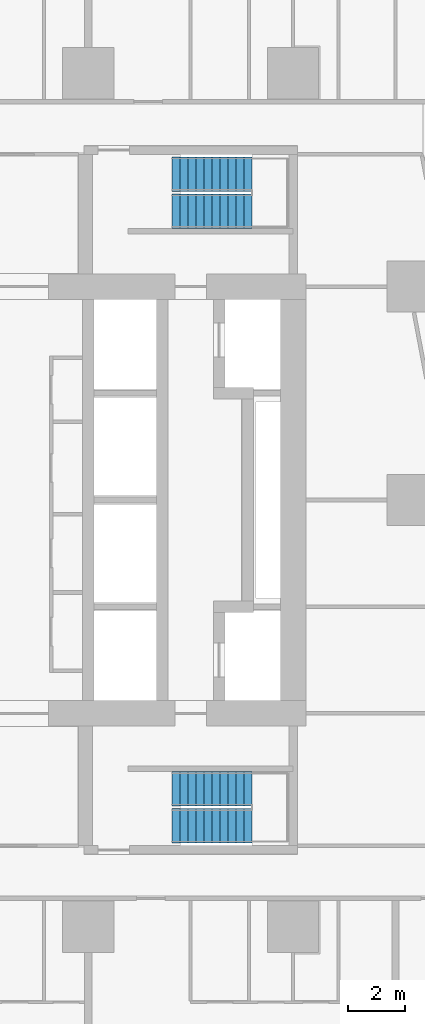
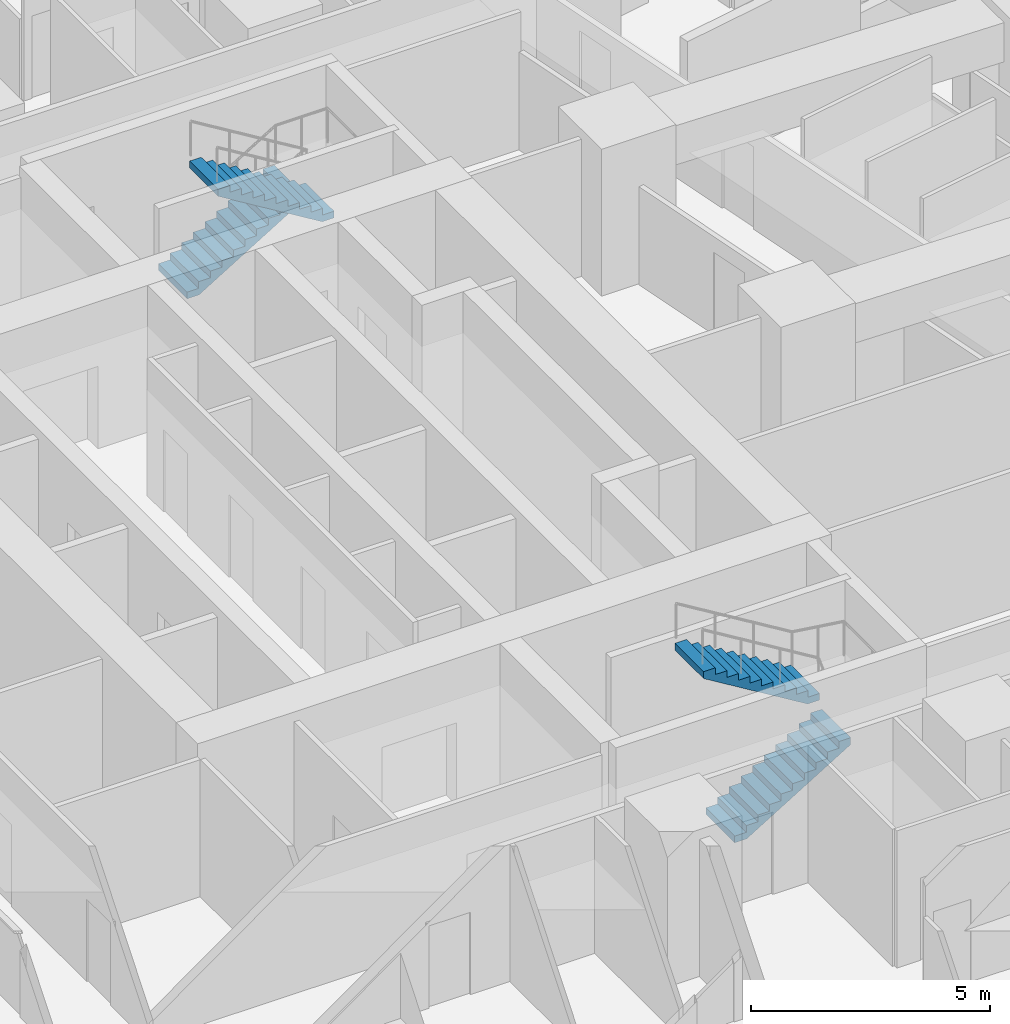
# One storey, part 15 of 17: 4 stair flights, 2 elements without a shape of their own.
"""IFC4 building model written with IfcOpenShell, lengths in metres."""

from ifc_helpers import new_model, si_unit, direction, frame, origin, place, context, subcontext, project, spatial, triangles, material, type_object, element, aggregate, save


model = new_model("IFC4")

# Units and contexts
model_context = context("Model", 3, precision=1e-05, world=origin(), true_north=direction((0.0, 1.0)))
body_context = subcontext(model_context, "Body", "Model", "MODEL_VIEW")
ifc_project = project(units=[si_unit("LENGTHUNIT", "METRE"), si_unit("AREAUNIT", "SQUARE_METRE"), si_unit("VOLUMEUNIT", "CUBIC_METRE"), si_unit("PLANEANGLEUNIT", "RADIAN"), si_unit("MASSUNIT", "GRAM", prefix="KILO")], contexts=[model_context])

# Site, building, storey
site_placement = place(None, origin())
site = spatial("IfcSite", under=ifc_project, at=site_placement, CompositionType="ELEMENT")
building_placement = place(site_placement, origin())
building = spatial("IfcBuilding", under=site, at=building_placement, Name="Sheger Commons Tower", CompositionType="ELEMENT")
storey_placement = place(building_placement, frame((0.0, 0.0, 27.5)))
storey = spatial("IfcBuildingStorey", under=building, at=storey_placement, Name="L06", CompositionType="ELEMENT", Elevation=27.5)

# Stair, stair flights
ifc_material_1 = material(Name="Concrete C35/45", Category="concrete")
stair_type = type_object("IfcStairType", Name="HALF-TURN STAIR 1200 RISE 3750", PredefinedType="HALF_TURN_STAIR", material=ifc_material_1)
stair_1_placement = place(storey_placement, origin())
stair_1 = element("IfcStair", 1, at=stair_1_placement, inside=storey, type_object=stair_type, Name="Stair S1 L06", PredefinedType="HALF_TURN_STAIR")
ifc_material_2 = material(Name="Concrete C35/45", Category="concrete")
stair_flight_type = type_object("IfcStairFlightType", Name="STAIR FLIGHT 1200 11 RISERS OF 170", PredefinedType="STRAIGHT", material=ifc_material_2)
stair_flight_1_placement = place(storey_placement, frame((24.550048828125, 11.050048828125, 0.0), z_axis=(0.0, 0.0, 1.0), x_axis=(1.0, 0.0, 0.0)))
stair_flight_1 = element("IfcStairFlight", 2, at=stair_flight_1_placement, type_object=stair_flight_type, Name="S1 flight 1", NumberOfRisers=11, NumberOfTreads=10, PredefinedType="STRAIGHT", RiserHeight=0.170454545, TreadLength=0.28, context=body_context, shape_type="Tessellation", body=[
    triangles([(0.0, 0.5999755859375, 0.0), (0.0, 0.5999755859375, 0.17041015625), (0.280029296875, 0.5999755859375, 0.17041015625), (0.280029296875, 0.5999755859375, 0.3408203125), (0.56005859375, 0.5999755859375, 0.3408203125), (0.56005859375, 0.5999755859375, 0.511474609375), (0.840087890625, 0.5999755859375, 0.511474609375), (0.840087890625, 0.5999755859375, 0.681884765625), (1.1201171875, 0.5999755859375, 0.681884765625), (1.1201171875, 0.5999755859375, 0.852294921875), (1.39990234375, 0.5999755859375, 0.852294921875), (1.39990234375, 0.5999755859375, 1.022705078125), (1.679931640625, 0.5999755859375, 1.022705078125), (1.679931640625, 0.5999755859375, 1.193115234375), (1.9599609375, 0.5999755859375, 1.193115234375), (1.9599609375, 0.5999755859375, 1.363525390625), (2.239990234375, 0.5999755859375, 1.363525390625), (2.239990234375, 0.5999755859375, 1.5341796875), (2.52001953125, 0.5999755859375, 1.5341796875), (2.52001953125, 0.5999755859375, 1.70458984375), (2.800048828125, 0.5999755859375, 1.70458984375), (2.800048828125, 0.5999755859375, 1.529052734375), (0.288330078125, 0.5999755859375, 0.0), (0.0, -0.5999755859375, 0.0), (0.0, -0.5999755859375, 0.17041015625), (0.280029296875, -0.5999755859375, 0.17041015625), (0.280029296875, -0.5999755859375, 0.3408203125), (0.56005859375, -0.5999755859375, 0.3408203125), (0.56005859375, -0.5999755859375, 0.511474609375), (0.840087890625, -0.5999755859375, 0.511474609375), (0.840087890625, -0.5999755859375, 0.681884765625), (1.1201171875, -0.5999755859375, 0.681884765625), (1.1201171875, -0.5999755859375, 0.852294921875), (1.39990234375, -0.5999755859375, 0.852294921875), (1.39990234375, -0.5999755859375, 1.022705078125), (1.679931640625, -0.5999755859375, 1.022705078125), (1.679931640625, -0.5999755859375, 1.193115234375), (1.9599609375, -0.5999755859375, 1.193115234375), (1.9599609375, -0.5999755859375, 1.363525390625), (2.239990234375, -0.5999755859375, 1.363525390625), (2.239990234375, -0.5999755859375, 1.5341796875), (2.52001953125, -0.5999755859375, 1.5341796875), (2.52001953125, -0.5999755859375, 1.70458984375), (2.800048828125, -0.5999755859375, 1.70458984375), (2.800048828125, -0.5999755859375, 1.529052734375), (0.288330078125, -0.5999755859375, 0.0), (0.0, 0.0, 0.085205078125), (0.1400146484375, 0.0, 0.17041015625), (0.280029296875, 0.0, 0.255615234375), (0.4200439453125, 0.0, 0.3408203125), (0.56005859375, 0.0, 0.4261474609375), (0.7000732421875, 0.0, 0.511474609375), (0.840087890625, 0.0, 0.5966796875), (0.9801025390625, 0.0, 0.681884765625), (1.1201171875, 0.0, 0.76708984375), (1.260009765625, 0.0, 0.852294921875), (1.39990234375, 0.0, 0.9375), (1.5399169921875, 0.0, 1.022705078125), (1.679931640625, 0.0, 1.10791015625), (1.8199462890625, 0.0, 1.193115234375), (1.9599609375, 0.0, 1.2783203125), (2.0999755859375, 0.0, 1.363525390625), (2.239990234375, 0.0, 1.4488525390625), (2.3800048828125, 0.0, 1.5341796875), (2.52001953125, 0.0, 1.619384765625), (2.6600341796875, 0.0, 1.70458984375), (2.800048828125, 0.0, 1.6168212890625), (1.544189453125, 0.0, 0.7645263671875), (0.1441650390625, 0.0, 0.0)], [[1, 22, 23], [24, 46, 45], [22, 20, 21], [45, 44, 43], [22, 19, 20], [45, 43, 42], [22, 18, 19], [45, 42, 41], [22, 17, 18], [45, 41, 40], [17, 15, 16], [40, 39, 38], [22, 15, 17], [45, 40, 38], [15, 13, 14], [38, 37, 36], [22, 13, 15], [45, 38, 36], [13, 11, 12], [36, 35, 34], [22, 11, 13], [45, 36, 34], [11, 9, 10], [34, 33, 32], [22, 9, 11], [45, 34, 32], [9, 7, 8], [32, 31, 30], [22, 7, 9], [45, 32, 30], [7, 5, 6], [30, 29, 28], [22, 5, 7], [45, 30, 28], [5, 3, 4], [28, 27, 26], [22, 3, 5], [45, 28, 26], [1, 3, 22], [24, 45, 26], [3, 1, 2], [26, 25, 24], [1, 47, 2], [2, 47, 25], [25, 47, 24], [24, 47, 1], [2, 48, 3], [3, 48, 26], [26, 48, 25], [25, 48, 2], [3, 49, 4], [4, 49, 27], [27, 49, 26], [26, 49, 3], [4, 50, 5], [5, 50, 28], [28, 50, 27], [27, 50, 4], [5, 51, 6], [6, 51, 29], [29, 51, 28], [28, 51, 5], [6, 52, 7], [7, 52, 30], [30, 52, 29], [29, 52, 6], [7, 53, 8], [8, 53, 31], [31, 53, 30], [30, 53, 7], [8, 54, 9], [9, 54, 32], [32, 54, 31], [31, 54, 8], [9, 55, 10], [10, 55, 33], [33, 55, 32], [32, 55, 9], [10, 56, 11], [11, 56, 34], [34, 56, 33], [33, 56, 10], [11, 57, 12], [12, 57, 35], [35, 57, 34], [34, 57, 11], [12, 58, 13], [13, 58, 36], [36, 58, 35], [35, 58, 12], [13, 59, 14], [14, 59, 37], [37, 59, 36], [36, 59, 13], [14, 60, 15], [15, 60, 38], [38, 60, 37], [37, 60, 14], [15, 61, 16], [16, 61, 39], [39, 61, 38], [38, 61, 15], [16, 62, 17], [17, 62, 40], [40, 62, 39], [39, 62, 16], [17, 63, 18], [18, 63, 41], [41, 63, 40], [40, 63, 17], [18, 64, 19], [19, 64, 42], [42, 64, 41], [41, 64, 18], [19, 65, 20], [20, 65, 43], [43, 65, 42], [42, 65, 19], [20, 66, 21], [21, 66, 44], [44, 66, 43], [43, 66, 20], [21, 67, 22], [22, 67, 45], [45, 67, 44], [44, 67, 21], [22, 68, 23], [23, 68, 46], [46, 68, 45], [45, 68, 22], [23, 69, 1], [1, 69, 24], [24, 69, 46], [46, 69, 23]], closed=True),
])
stair_flight_2_placement = place(storey_placement, frame((27.35009765625, 12.35009765625, 1.875), z_axis=(0.0, 0.0, 1.0), x_axis=(-1.0, 0.0, 0.0)))
stair_flight_2 = element("IfcStairFlight", 3, at=stair_flight_2_placement, type_object=stair_flight_type, Name="S1 flight 2", NumberOfRisers=11, NumberOfTreads=10, PredefinedType="STRAIGHT", RiserHeight=0.170454545, TreadLength=0.28, context=body_context, shape_type="Tessellation", body=[
    triangles([(0.0, 0.5999755859375, 0.0), (0.0, 0.5999755859375, 0.17041015625), (0.280029296875, 0.5999755859375, 0.17041015625), (0.280029296875, 0.5999755859375, 0.3408203125), (0.56005859375, 0.5999755859375, 0.3408203125), (0.56005859375, 0.5999755859375, 0.511474609375), (0.840087890625, 0.5999755859375, 0.511474609375), (0.840087890625, 0.5999755859375, 0.681884765625), (1.1201171875, 0.5999755859375, 0.681884765625), (1.1201171875, 0.5999755859375, 0.852294921875), (1.39990234375, 0.5999755859375, 0.852294921875), (1.39990234375, 0.5999755859375, 1.022705078125), (1.679931640625, 0.5999755859375, 1.022705078125), (1.679931640625, 0.5999755859375, 1.193115234375), (1.9599609375, 0.5999755859375, 1.193115234375), (1.9599609375, 0.5999755859375, 1.363525390625), (2.239990234375, 0.5999755859375, 1.363525390625), (2.239990234375, 0.5999755859375, 1.5341796875), (2.52001953125, 0.5999755859375, 1.5341796875), (2.52001953125, 0.5999755859375, 1.70458984375), (2.800048828125, 0.5999755859375, 1.70458984375), (2.800048828125, 0.5999755859375, 1.529052734375), (0.288330078125, 0.5999755859375, 0.0), (0.0, -0.5999755859375, 0.0), (0.0, -0.5999755859375, 0.17041015625), (0.280029296875, -0.5999755859375, 0.17041015625), (0.280029296875, -0.5999755859375, 0.3408203125), (0.56005859375, -0.5999755859375, 0.3408203125), (0.56005859375, -0.5999755859375, 0.511474609375), (0.840087890625, -0.5999755859375, 0.511474609375), (0.840087890625, -0.5999755859375, 0.681884765625), (1.1201171875, -0.5999755859375, 0.681884765625), (1.1201171875, -0.5999755859375, 0.852294921875), (1.39990234375, -0.5999755859375, 0.852294921875), (1.39990234375, -0.5999755859375, 1.022705078125), (1.679931640625, -0.5999755859375, 1.022705078125), (1.679931640625, -0.5999755859375, 1.193115234375), (1.9599609375, -0.5999755859375, 1.193115234375), (1.9599609375, -0.5999755859375, 1.363525390625), (2.239990234375, -0.5999755859375, 1.363525390625), (2.239990234375, -0.5999755859375, 1.5341796875), (2.52001953125, -0.5999755859375, 1.5341796875), (2.52001953125, -0.5999755859375, 1.70458984375), (2.800048828125, -0.5999755859375, 1.70458984375), (2.800048828125, -0.5999755859375, 1.529052734375), (0.288330078125, -0.5999755859375, 0.0), (0.0, 0.0, 0.085205078125), (0.1400146484375, 0.0, 0.17041015625), (0.280029296875, 0.0, 0.255615234375), (0.4200439453125, 0.0, 0.3408203125), (0.56005859375, 0.0, 0.4261474609375), (0.7000732421875, 0.0, 0.511474609375), (0.840087890625, 0.0, 0.5966796875), (0.9801025390625, 0.0, 0.681884765625), (1.1201171875, 0.0, 0.76708984375), (1.260009765625, 0.0, 0.852294921875), (1.39990234375, 0.0, 0.9375), (1.5399169921875, 0.0, 1.022705078125), (1.679931640625, 0.0, 1.10791015625), (1.8199462890625, 0.0, 1.193115234375), (1.9599609375, 0.0, 1.2783203125), (2.0999755859375, 0.0, 1.363525390625), (2.239990234375, 0.0, 1.4488525390625), (2.3800048828125, 0.0, 1.5341796875), (2.52001953125, 0.0, 1.619384765625), (2.6600341796875, 0.0, 1.70458984375), (2.800048828125, 0.0, 1.6168212890625), (1.544189453125, 0.0, 0.7645263671875), (0.1441650390625, 0.0, 0.0)], [[1, 22, 23], [24, 46, 45], [22, 20, 21], [45, 44, 43], [22, 19, 20], [45, 43, 42], [22, 18, 19], [45, 42, 41], [22, 17, 18], [45, 41, 40], [17, 15, 16], [40, 39, 38], [22, 15, 17], [45, 40, 38], [15, 13, 14], [38, 37, 36], [22, 13, 15], [45, 38, 36], [13, 11, 12], [36, 35, 34], [22, 11, 13], [45, 36, 34], [11, 9, 10], [34, 33, 32], [22, 9, 11], [45, 34, 32], [9, 7, 8], [32, 31, 30], [22, 7, 9], [45, 32, 30], [7, 5, 6], [30, 29, 28], [22, 5, 7], [45, 30, 28], [5, 3, 4], [28, 27, 26], [22, 3, 5], [45, 28, 26], [1, 3, 22], [24, 45, 26], [3, 1, 2], [26, 25, 24], [1, 47, 2], [2, 47, 25], [25, 47, 24], [24, 47, 1], [2, 48, 3], [3, 48, 26], [26, 48, 25], [25, 48, 2], [3, 49, 4], [4, 49, 27], [27, 49, 26], [26, 49, 3], [4, 50, 5], [5, 50, 28], [28, 50, 27], [27, 50, 4], [5, 51, 6], [6, 51, 29], [29, 51, 28], [28, 51, 5], [6, 52, 7], [7, 52, 30], [30, 52, 29], [29, 52, 6], [7, 53, 8], [8, 53, 31], [31, 53, 30], [30, 53, 7], [8, 54, 9], [9, 54, 32], [32, 54, 31], [31, 54, 8], [9, 55, 10], [10, 55, 33], [33, 55, 32], [32, 55, 9], [10, 56, 11], [11, 56, 34], [34, 56, 33], [33, 56, 10], [11, 57, 12], [12, 57, 35], [35, 57, 34], [34, 57, 11], [12, 58, 13], [13, 58, 36], [36, 58, 35], [35, 58, 12], [13, 59, 14], [14, 59, 37], [37, 59, 36], [36, 59, 13], [14, 60, 15], [15, 60, 38], [38, 60, 37], [37, 60, 14], [15, 61, 16], [16, 61, 39], [39, 61, 38], [38, 61, 15], [16, 62, 17], [17, 62, 40], [40, 62, 39], [39, 62, 16], [17, 63, 18], [18, 63, 41], [41, 63, 40], [40, 63, 17], [18, 64, 19], [19, 64, 42], [42, 64, 41], [41, 64, 18], [19, 65, 20], [20, 65, 43], [43, 65, 42], [42, 65, 19], [20, 66, 21], [21, 66, 44], [44, 66, 43], [43, 66, 20], [21, 67, 22], [22, 67, 45], [45, 67, 44], [44, 67, 21], [22, 68, 23], [23, 68, 46], [46, 68, 45], [45, 68, 22], [23, 69, 1], [1, 69, 24], [24, 69, 46], [46, 69, 23]], closed=True),
])
aggregate(stair_1, [stair_flight_1, stair_flight_2])

stair_2_placement = place(storey_placement, origin())
stair_2 = element("IfcStair", 4, at=stair_2_placement, inside=storey, type_object=stair_type, Name="Stair S2 L06", PredefinedType="HALF_TURN_STAIR")
stair_flight_3_placement = place(storey_placement, frame((24.550048828125, 33.949951171875, 0.0), z_axis=(0.0, 0.0, 1.0), x_axis=(1.0, 0.0, 0.0)))
stair_flight_3 = element("IfcStairFlight", 5, at=stair_flight_3_placement, type_object=stair_flight_type, Name="S2 flight 1", NumberOfRisers=11, NumberOfTreads=10, PredefinedType="STRAIGHT", RiserHeight=0.170454545, TreadLength=0.28, context=body_context, shape_type="Tessellation", body=[
    triangles([(0.0, 0.5999755859375, 0.0), (0.0, 0.5999755859375, 0.17041015625), (0.280029296875, 0.5999755859375, 0.17041015625), (0.280029296875, 0.5999755859375, 0.3408203125), (0.56005859375, 0.5999755859375, 0.3408203125), (0.56005859375, 0.5999755859375, 0.511474609375), (0.840087890625, 0.5999755859375, 0.511474609375), (0.840087890625, 0.5999755859375, 0.681884765625), (1.1201171875, 0.5999755859375, 0.681884765625), (1.1201171875, 0.5999755859375, 0.852294921875), (1.39990234375, 0.5999755859375, 0.852294921875), (1.39990234375, 0.5999755859375, 1.022705078125), (1.679931640625, 0.5999755859375, 1.022705078125), (1.679931640625, 0.5999755859375, 1.193115234375), (1.9599609375, 0.5999755859375, 1.193115234375), (1.9599609375, 0.5999755859375, 1.363525390625), (2.239990234375, 0.5999755859375, 1.363525390625), (2.239990234375, 0.5999755859375, 1.5341796875), (2.52001953125, 0.5999755859375, 1.5341796875), (2.52001953125, 0.5999755859375, 1.70458984375), (2.800048828125, 0.5999755859375, 1.70458984375), (2.800048828125, 0.5999755859375, 1.529052734375), (0.288330078125, 0.5999755859375, 0.0), (0.0, -0.5999755859375, 0.0), (0.0, -0.5999755859375, 0.17041015625), (0.280029296875, -0.5999755859375, 0.17041015625), (0.280029296875, -0.5999755859375, 0.3408203125), (0.56005859375, -0.5999755859375, 0.3408203125), (0.56005859375, -0.5999755859375, 0.511474609375), (0.840087890625, -0.5999755859375, 0.511474609375), (0.840087890625, -0.5999755859375, 0.681884765625), (1.1201171875, -0.5999755859375, 0.681884765625), (1.1201171875, -0.5999755859375, 0.852294921875), (1.39990234375, -0.5999755859375, 0.852294921875), (1.39990234375, -0.5999755859375, 1.022705078125), (1.679931640625, -0.5999755859375, 1.022705078125), (1.679931640625, -0.5999755859375, 1.193115234375), (1.9599609375, -0.5999755859375, 1.193115234375), (1.9599609375, -0.5999755859375, 1.363525390625), (2.239990234375, -0.5999755859375, 1.363525390625), (2.239990234375, -0.5999755859375, 1.5341796875), (2.52001953125, -0.5999755859375, 1.5341796875), (2.52001953125, -0.5999755859375, 1.70458984375), (2.800048828125, -0.5999755859375, 1.70458984375), (2.800048828125, -0.5999755859375, 1.529052734375), (0.288330078125, -0.5999755859375, 0.0), (0.0, 0.0, 0.085205078125), (0.1400146484375, 0.0, 0.17041015625), (0.280029296875, 0.0, 0.255615234375), (0.4200439453125, 0.0, 0.3408203125), (0.56005859375, 0.0, 0.4261474609375), (0.7000732421875, 0.0, 0.511474609375), (0.840087890625, 0.0, 0.5966796875), (0.9801025390625, 0.0, 0.681884765625), (1.1201171875, 0.0, 0.76708984375), (1.260009765625, 0.0, 0.852294921875), (1.39990234375, 0.0, 0.9375), (1.5399169921875, 0.0, 1.022705078125), (1.679931640625, 0.0, 1.10791015625), (1.8199462890625, 0.0, 1.193115234375), (1.9599609375, 0.0, 1.2783203125), (2.0999755859375, 0.0, 1.363525390625), (2.239990234375, 0.0, 1.4488525390625), (2.3800048828125, 0.0, 1.5341796875), (2.52001953125, 0.0, 1.619384765625), (2.6600341796875, 0.0, 1.70458984375), (2.800048828125, 0.0, 1.6168212890625), (1.544189453125, 0.0, 0.7645263671875), (0.1441650390625, 0.0, 0.0)], [[1, 22, 23], [24, 46, 45], [22, 20, 21], [45, 44, 43], [22, 19, 20], [45, 43, 42], [22, 18, 19], [45, 42, 41], [22, 17, 18], [45, 41, 40], [17, 15, 16], [40, 39, 38], [22, 15, 17], [45, 40, 38], [15, 13, 14], [38, 37, 36], [22, 13, 15], [45, 38, 36], [13, 11, 12], [36, 35, 34], [22, 11, 13], [45, 36, 34], [11, 9, 10], [34, 33, 32], [22, 9, 11], [45, 34, 32], [9, 7, 8], [32, 31, 30], [22, 7, 9], [45, 32, 30], [7, 5, 6], [30, 29, 28], [22, 5, 7], [45, 30, 28], [5, 3, 4], [28, 27, 26], [22, 3, 5], [45, 28, 26], [1, 3, 22], [24, 45, 26], [3, 1, 2], [26, 25, 24], [1, 47, 2], [2, 47, 25], [25, 47, 24], [24, 47, 1], [2, 48, 3], [3, 48, 26], [26, 48, 25], [25, 48, 2], [3, 49, 4], [4, 49, 27], [27, 49, 26], [26, 49, 3], [4, 50, 5], [5, 50, 28], [28, 50, 27], [27, 50, 4], [5, 51, 6], [6, 51, 29], [29, 51, 28], [28, 51, 5], [6, 52, 7], [7, 52, 30], [30, 52, 29], [29, 52, 6], [7, 53, 8], [8, 53, 31], [31, 53, 30], [30, 53, 7], [8, 54, 9], [9, 54, 32], [32, 54, 31], [31, 54, 8], [9, 55, 10], [10, 55, 33], [33, 55, 32], [32, 55, 9], [10, 56, 11], [11, 56, 34], [34, 56, 33], [33, 56, 10], [11, 57, 12], [12, 57, 35], [35, 57, 34], [34, 57, 11], [12, 58, 13], [13, 58, 36], [36, 58, 35], [35, 58, 12], [13, 59, 14], [14, 59, 37], [37, 59, 36], [36, 59, 13], [14, 60, 15], [15, 60, 38], [38, 60, 37], [37, 60, 14], [15, 61, 16], [16, 61, 39], [39, 61, 38], [38, 61, 15], [16, 62, 17], [17, 62, 40], [40, 62, 39], [39, 62, 16], [17, 63, 18], [18, 63, 41], [41, 63, 40], [40, 63, 17], [18, 64, 19], [19, 64, 42], [42, 64, 41], [41, 64, 18], [19, 65, 20], [20, 65, 43], [43, 65, 42], [42, 65, 19], [20, 66, 21], [21, 66, 44], [44, 66, 43], [43, 66, 20], [21, 67, 22], [22, 67, 45], [45, 67, 44], [44, 67, 21], [22, 68, 23], [23, 68, 46], [46, 68, 45], [45, 68, 22], [23, 69, 1], [1, 69, 24], [24, 69, 46], [46, 69, 23]], closed=True),
])
stair_flight_4_placement = place(storey_placement, frame((27.35009765625, 32.64990234375, 1.875), z_axis=(0.0, 0.0, 1.0), x_axis=(-1.0, 0.0, 0.0)))
stair_flight_4 = element("IfcStairFlight", 6, at=stair_flight_4_placement, type_object=stair_flight_type, Name="S2 flight 2", NumberOfRisers=11, NumberOfTreads=10, PredefinedType="STRAIGHT", RiserHeight=0.170454545, TreadLength=0.28, context=body_context, shape_type="Tessellation", body=[
    triangles([(0.0, 0.5999755859375, 0.0), (0.0, 0.5999755859375, 0.17041015625), (0.280029296875, 0.5999755859375, 0.17041015625), (0.280029296875, 0.5999755859375, 0.3408203125), (0.56005859375, 0.5999755859375, 0.3408203125), (0.56005859375, 0.5999755859375, 0.511474609375), (0.840087890625, 0.5999755859375, 0.511474609375), (0.840087890625, 0.5999755859375, 0.681884765625), (1.1201171875, 0.5999755859375, 0.681884765625), (1.1201171875, 0.5999755859375, 0.852294921875), (1.39990234375, 0.5999755859375, 0.852294921875), (1.39990234375, 0.5999755859375, 1.022705078125), (1.679931640625, 0.5999755859375, 1.022705078125), (1.679931640625, 0.5999755859375, 1.193115234375), (1.9599609375, 0.5999755859375, 1.193115234375), (1.9599609375, 0.5999755859375, 1.363525390625), (2.239990234375, 0.5999755859375, 1.363525390625), (2.239990234375, 0.5999755859375, 1.5341796875), (2.52001953125, 0.5999755859375, 1.5341796875), (2.52001953125, 0.5999755859375, 1.70458984375), (2.800048828125, 0.5999755859375, 1.70458984375), (2.800048828125, 0.5999755859375, 1.529052734375), (0.288330078125, 0.5999755859375, 0.0), (0.0, -0.5999755859375, 0.0), (0.0, -0.5999755859375, 0.17041015625), (0.280029296875, -0.5999755859375, 0.17041015625), (0.280029296875, -0.5999755859375, 0.3408203125), (0.56005859375, -0.5999755859375, 0.3408203125), (0.56005859375, -0.5999755859375, 0.511474609375), (0.840087890625, -0.5999755859375, 0.511474609375), (0.840087890625, -0.5999755859375, 0.681884765625), (1.1201171875, -0.5999755859375, 0.681884765625), (1.1201171875, -0.5999755859375, 0.852294921875), (1.39990234375, -0.5999755859375, 0.852294921875), (1.39990234375, -0.5999755859375, 1.022705078125), (1.679931640625, -0.5999755859375, 1.022705078125), (1.679931640625, -0.5999755859375, 1.193115234375), (1.9599609375, -0.5999755859375, 1.193115234375), (1.9599609375, -0.5999755859375, 1.363525390625), (2.239990234375, -0.5999755859375, 1.363525390625), (2.239990234375, -0.5999755859375, 1.5341796875), (2.52001953125, -0.5999755859375, 1.5341796875), (2.52001953125, -0.5999755859375, 1.70458984375), (2.800048828125, -0.5999755859375, 1.70458984375), (2.800048828125, -0.5999755859375, 1.529052734375), (0.288330078125, -0.5999755859375, 0.0), (0.0, 0.0, 0.085205078125), (0.1400146484375, 0.0, 0.17041015625), (0.280029296875, 0.0, 0.255615234375), (0.4200439453125, 0.0, 0.3408203125), (0.56005859375, 0.0, 0.4261474609375), (0.7000732421875, 0.0, 0.511474609375), (0.840087890625, 0.0, 0.5966796875), (0.9801025390625, 0.0, 0.681884765625), (1.1201171875, 0.0, 0.76708984375), (1.260009765625, 0.0, 0.852294921875), (1.39990234375, 0.0, 0.9375), (1.5399169921875, 0.0, 1.022705078125), (1.679931640625, 0.0, 1.10791015625), (1.8199462890625, 0.0, 1.193115234375), (1.9599609375, 0.0, 1.2783203125), (2.0999755859375, 0.0, 1.363525390625), (2.239990234375, 0.0, 1.4488525390625), (2.3800048828125, 0.0, 1.5341796875), (2.52001953125, 0.0, 1.619384765625), (2.6600341796875, 0.0, 1.70458984375), (2.800048828125, 0.0, 1.6168212890625), (1.544189453125, 0.0, 0.7645263671875), (0.1441650390625, 0.0, 0.0)], [[1, 22, 23], [24, 46, 45], [22, 20, 21], [45, 44, 43], [22, 19, 20], [45, 43, 42], [22, 18, 19], [45, 42, 41], [22, 17, 18], [45, 41, 40], [17, 15, 16], [40, 39, 38], [22, 15, 17], [45, 40, 38], [15, 13, 14], [38, 37, 36], [22, 13, 15], [45, 38, 36], [13, 11, 12], [36, 35, 34], [22, 11, 13], [45, 36, 34], [11, 9, 10], [34, 33, 32], [22, 9, 11], [45, 34, 32], [9, 7, 8], [32, 31, 30], [22, 7, 9], [45, 32, 30], [7, 5, 6], [30, 29, 28], [22, 5, 7], [45, 30, 28], [5, 3, 4], [28, 27, 26], [22, 3, 5], [45, 28, 26], [1, 3, 22], [24, 45, 26], [3, 1, 2], [26, 25, 24], [1, 47, 2], [2, 47, 25], [25, 47, 24], [24, 47, 1], [2, 48, 3], [3, 48, 26], [26, 48, 25], [25, 48, 2], [3, 49, 4], [4, 49, 27], [27, 49, 26], [26, 49, 3], [4, 50, 5], [5, 50, 28], [28, 50, 27], [27, 50, 4], [5, 51, 6], [6, 51, 29], [29, 51, 28], [28, 51, 5], [6, 52, 7], [7, 52, 30], [30, 52, 29], [29, 52, 6], [7, 53, 8], [8, 53, 31], [31, 53, 30], [30, 53, 7], [8, 54, 9], [9, 54, 32], [32, 54, 31], [31, 54, 8], [9, 55, 10], [10, 55, 33], [33, 55, 32], [32, 55, 9], [10, 56, 11], [11, 56, 34], [34, 56, 33], [33, 56, 10], [11, 57, 12], [12, 57, 35], [35, 57, 34], [34, 57, 11], [12, 58, 13], [13, 58, 36], [36, 58, 35], [35, 58, 12], [13, 59, 14], [14, 59, 37], [37, 59, 36], [36, 59, 13], [14, 60, 15], [15, 60, 38], [38, 60, 37], [37, 60, 14], [15, 61, 16], [16, 61, 39], [39, 61, 38], [38, 61, 15], [16, 62, 17], [17, 62, 40], [40, 62, 39], [39, 62, 16], [17, 63, 18], [18, 63, 41], [41, 63, 40], [40, 63, 17], [18, 64, 19], [19, 64, 42], [42, 64, 41], [41, 64, 18], [19, 65, 20], [20, 65, 43], [43, 65, 42], [42, 65, 19], [20, 66, 21], [21, 66, 44], [44, 66, 43], [43, 66, 20], [21, 67, 22], [22, 67, 45], [45, 67, 44], [44, 67, 21], [22, 68, 23], [23, 68, 46], [46, 68, 45], [45, 68, 22], [23, 69, 1], [1, 69, 24], [24, 69, 46], [46, 69, 23]], closed=True),
])
aggregate(stair_2, [stair_flight_3, stair_flight_4])

save(model, "model.ifc")
